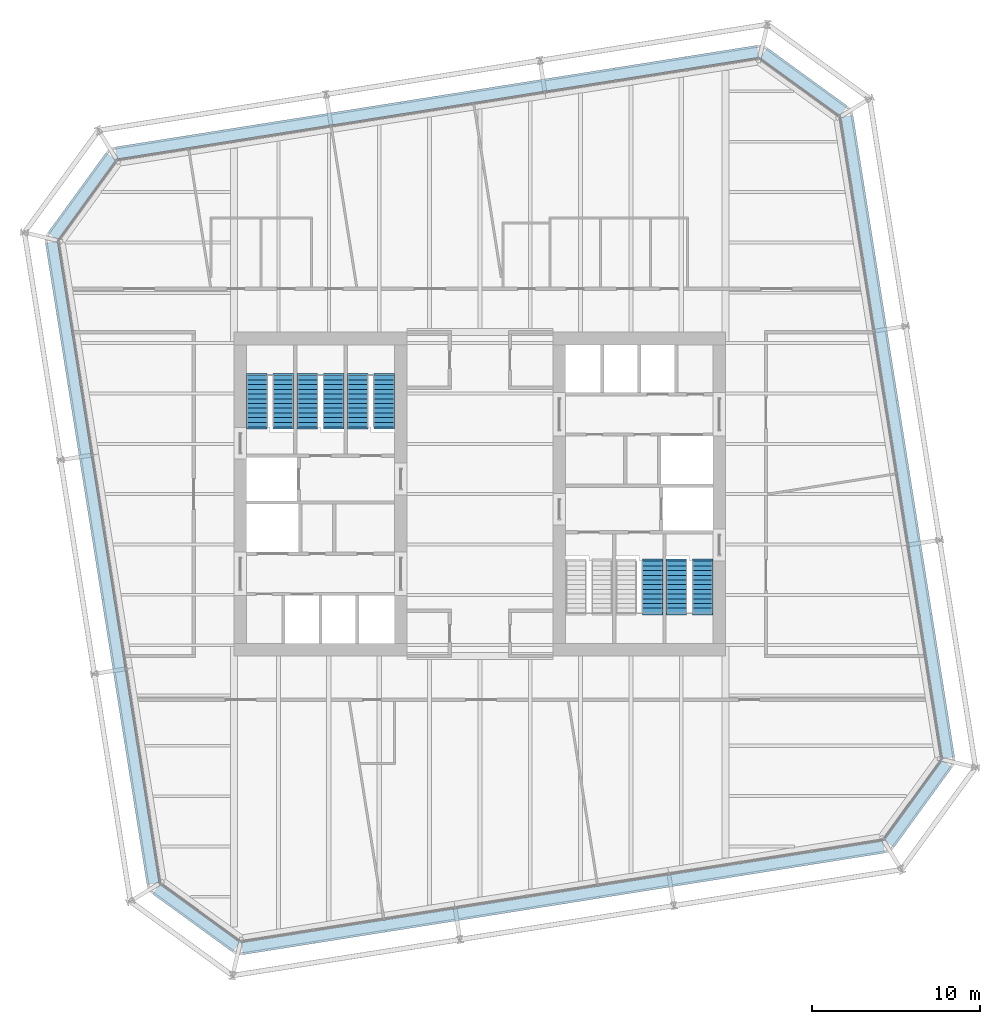
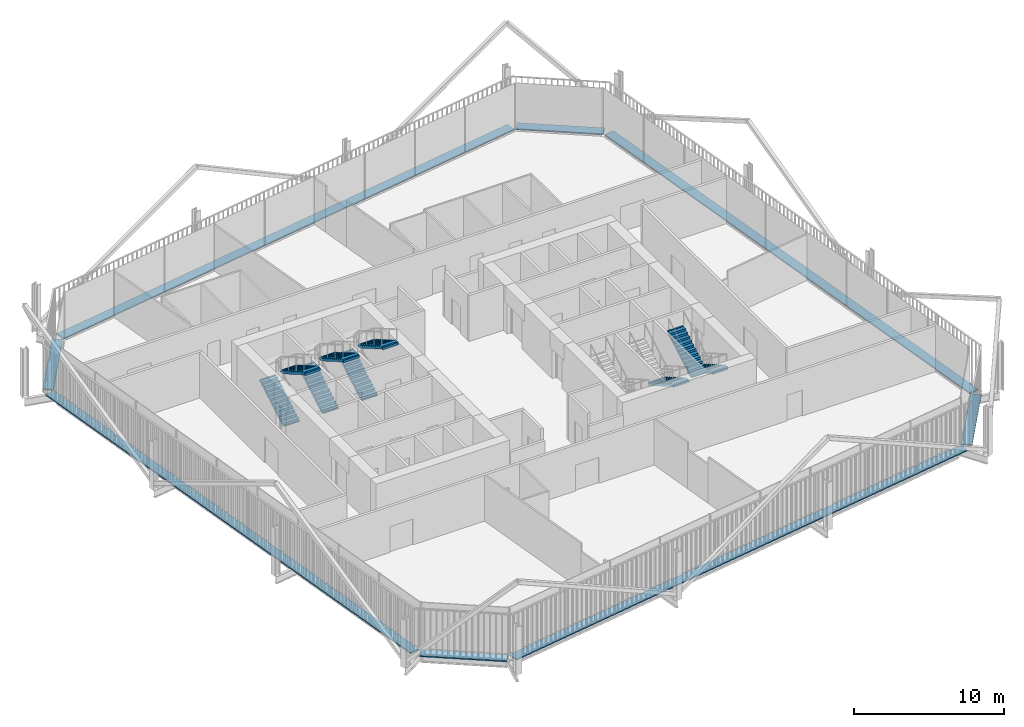
# One storey, part 21 of 22: 9 stair flights, 8 discrete accessories, 5 elements without a shape of their own.
"""IFC4 building model written with IfcOpenShell, lengths in metres."""

from ifc_helpers import new_model, si_unit, direction, frame, origin, origin_2d, place, context, subcontext, project, spatial, polyline, rectangle, outline, extrude, material, type_object, element, aggregate, save


model = new_model("IFC4")

# Units and contexts
model_context = context("Model", 3, precision=1e-05, world=origin(), true_north=direction((0.0, 1.0)))
body_context = subcontext(model_context, "Body", "Model", "MODEL_VIEW")
ifc_project = project(units=[si_unit("LENGTHUNIT", "METRE"), si_unit("AREAUNIT", "SQUARE_METRE"), si_unit("VOLUMEUNIT", "CUBIC_METRE"), si_unit("PLANEANGLEUNIT", "RADIAN"), si_unit("MASSUNIT", "GRAM", prefix="KILO")], contexts=[model_context])

# Site, building, storey
site_placement = place(None, origin())
site = spatial("IfcSite", under=ifc_project, at=site_placement, CompositionType="ELEMENT")
building_placement = place(site_placement, origin())
building = spatial("IfcBuilding", under=site, at=building_placement, Name="Millrace Tower", CompositionType="ELEMENT")
storey_placement = place(building_placement, frame((0.0, 0.0, 180.0)))
storey = spatial("IfcBuildingStorey", under=building, at=storey_placement, Name="L40", CompositionType="ELEMENT", Elevation=180.0)

# Stair, stair flights
ifc_material_1 = material(Name="Concrete C35", Category="concrete")
stair_type = type_object("IfcStairType", Name="Exit stair", PredefinedType="HALF_TURN_STAIR", material=ifc_material_1)
placement = place(storey_placement, origin())
stair_1 = element("IfcStair", 1, at=placement, inside=storey, type_object=stair_type, Name="Stair 1 W L40", PredefinedType="HALF_TURN_STAIR")
ifc_material_2 = material(Name="Concrete C35", Category="concrete")
stair_flight_type = type_object("IfcStairFlightType", Name="Exit stair flight", PredefinedType="STRAIGHT", material=ifc_material_2)
stair_flight_1_placement = place(storey_placement, frame((-13.2900390625, 4.0, 0.0), z_axis=(0.0, 0.0, 1.0), x_axis=(0.0, 1.0, 0.0)))
stair_flight_1 = element("IfcStairFlight", 2, at=stair_flight_1_placement, type_object=stair_flight_type, Name="ST12 flight 1", NumberOfRisers=12, NumberOfTreads=11, PredefinedType="STRAIGHT", RiserHeight=0.1625, TreadLength=0.28, context=body_context, shape_type="SweptSolid", body=[
    extrude(outline(polyline([(-0.1201171875, -0.0400390625), (-0.1201171875, 0.0), (0.0, 0.0), (0.0, 0.16259765625), (0.280029296875, 0.16259765625), (0.280029296875, 0.324951171875), (0.56005859375, 0.324951171875), (0.56005859375, 0.487548828125), (0.840087890625, 0.487548828125), (0.840087890625, 0.64990234375), (1.1201171875, 0.64990234375), (1.1201171875, 0.8125), (1.39990234375, 0.8125), (1.39990234375, 0.97509765625), (1.679931640625, 0.97509765625), (1.679931640625, 1.137451171875), (1.9599609375, 1.137451171875), (1.9599609375, 1.300048828125), (2.239990234375, 1.300048828125), (2.239990234375, 1.46240234375), (2.52001953125, 1.46240234375), (2.52001953125, 1.625), (2.800048828125, 1.625), (2.800048828125, 1.78759765625), (3.080078125, 1.78759765625), (3.080078125, 1.8076171875), (3.199951171875, 1.8076171875), (3.199951171875, 1.6142578125), (3.080078125, 1.6142578125), (0.298583984375, 0.0), (0.298583984375, -0.0400390625), (-0.1201171875, -0.0400390625)])), frame((0.0, 0.60986328125, 0.0), z_axis=(0.0, -1.0, 0.0), x_axis=(1.0, 0.0, 0.0)), (0.0, 0.0, 1.0), 1.219970703125),
])
stair_flight_2_placement = place(storey_placement, frame((-11.7099609375, 7.080078125, 1.949951171875), z_axis=(0.0, 0.0, 1.0), x_axis=(0.0, -1.0, 0.0)))
stair_flight_2 = element("IfcStairFlight", 3, at=stair_flight_2_placement, type_object=stair_flight_type, Name="ST12 flight 2", NumberOfRisers=12, NumberOfTreads=11, PredefinedType="STRAIGHT", RiserHeight=0.1625, TreadLength=0.28, context=body_context, shape_type="SweptSolid", body=[
    extrude(outline(polyline([(-0.1201171875, -0.0400390625), (-0.1201171875, 0.0), (0.0, 0.0), (0.0, 0.16259765625), (0.280029296875, 0.16259765625), (0.280029296875, 0.324951171875), (0.56005859375, 0.324951171875), (0.56005859375, 0.487548828125), (0.840087890625, 0.487548828125), (0.840087890625, 0.64990234375), (1.1201171875, 0.64990234375), (1.1201171875, 0.8125), (1.39990234375, 0.8125), (1.39990234375, 0.97509765625), (1.679931640625, 0.97509765625), (1.679931640625, 1.137451171875), (1.9599609375, 1.137451171875), (1.9599609375, 1.300048828125), (2.239990234375, 1.300048828125), (2.239990234375, 1.46240234375), (2.52001953125, 1.46240234375), (2.52001953125, 1.625), (2.800048828125, 1.625), (2.800048828125, 1.78759765625), (3.080078125, 1.78759765625), (3.080078125, 1.8076171875), (3.199951171875, 1.8076171875), (3.199951171875, 1.6142578125), (3.080078125, 1.6142578125), (0.298583984375, 0.0), (0.298583984375, -0.0400390625), (-0.1201171875, -0.0400390625)])), frame((0.0, 0.60986328125, 0.0), z_axis=(0.0, -1.0, 0.0), x_axis=(1.0, 0.0, 0.0)), (0.0, 0.0, 1.0), 1.219970703125),
])
aggregate(stair_1, [stair_flight_1, stair_flight_2])

stair_2 = element("IfcStair", 4, at=placement, inside=storey, type_object=stair_type, Name="Stair 2 W L40", PredefinedType="HALF_TURN_STAIR")
stair_flight_3_placement = place(storey_placement, frame((-10.2900390625, 4.0, 0.0), z_axis=(0.0, 0.0, 1.0), x_axis=(0.0, 1.0, 0.0)))
stair_flight_3 = element("IfcStairFlight", 5, at=stair_flight_3_placement, type_object=stair_flight_type, Name="ST12 flight 1", NumberOfRisers=12, NumberOfTreads=11, PredefinedType="STRAIGHT", RiserHeight=0.1625, TreadLength=0.28, context=body_context, shape_type="SweptSolid", body=[
    extrude(outline(polyline([(-0.1201171875, -0.0400390625), (-0.1201171875, 0.0), (0.0, 0.0), (0.0, 0.16259765625), (0.280029296875, 0.16259765625), (0.280029296875, 0.324951171875), (0.56005859375, 0.324951171875), (0.56005859375, 0.487548828125), (0.840087890625, 0.487548828125), (0.840087890625, 0.64990234375), (1.1201171875, 0.64990234375), (1.1201171875, 0.8125), (1.39990234375, 0.8125), (1.39990234375, 0.97509765625), (1.679931640625, 0.97509765625), (1.679931640625, 1.137451171875), (1.9599609375, 1.137451171875), (1.9599609375, 1.300048828125), (2.239990234375, 1.300048828125), (2.239990234375, 1.46240234375), (2.52001953125, 1.46240234375), (2.52001953125, 1.625), (2.800048828125, 1.625), (2.800048828125, 1.78759765625), (3.080078125, 1.78759765625), (3.080078125, 1.8076171875), (3.199951171875, 1.8076171875), (3.199951171875, 1.6142578125), (3.080078125, 1.6142578125), (0.298583984375, 0.0), (0.298583984375, -0.0400390625), (-0.1201171875, -0.0400390625)])), frame((0.0, 0.60986328125, 0.0), z_axis=(0.0, -1.0, 0.0), x_axis=(1.0, 0.0, 0.0)), (0.0, 0.0, 1.0), 1.219970703125),
])
stair_flight_4_placement = place(storey_placement, frame((-8.7099609375, 7.080078125, 1.949951171875), z_axis=(0.0, 0.0, 1.0), x_axis=(0.0, -1.0, 0.0)))
stair_flight_4 = element("IfcStairFlight", 6, at=stair_flight_4_placement, type_object=stair_flight_type, Name="ST12 flight 2", NumberOfRisers=12, NumberOfTreads=11, PredefinedType="STRAIGHT", RiserHeight=0.1625, TreadLength=0.28, context=body_context, shape_type="SweptSolid", body=[
    extrude(outline(polyline([(-0.1201171875, -0.0400390625), (-0.1201171875, 0.0), (0.0, 0.0), (0.0, 0.16259765625), (0.280029296875, 0.16259765625), (0.280029296875, 0.324951171875), (0.56005859375, 0.324951171875), (0.56005859375, 0.487548828125), (0.840087890625, 0.487548828125), (0.840087890625, 0.64990234375), (1.1201171875, 0.64990234375), (1.1201171875, 0.8125), (1.39990234375, 0.8125), (1.39990234375, 0.97509765625), (1.679931640625, 0.97509765625), (1.679931640625, 1.137451171875), (1.9599609375, 1.137451171875), (1.9599609375, 1.300048828125), (2.239990234375, 1.300048828125), (2.239990234375, 1.46240234375), (2.52001953125, 1.46240234375), (2.52001953125, 1.625), (2.800048828125, 1.625), (2.800048828125, 1.78759765625), (3.080078125, 1.78759765625), (3.080078125, 1.8076171875), (3.199951171875, 1.8076171875), (3.199951171875, 1.6142578125), (3.080078125, 1.6142578125), (0.298583984375, 0.0), (0.298583984375, -0.0400390625), (-0.1201171875, -0.0400390625)])), frame((0.0, 0.60986328125, 0.0), z_axis=(0.0, -1.0, 0.0), x_axis=(1.0, 0.0, 0.0)), (0.0, 0.0, 1.0), 1.219970703125),
])
aggregate(stair_2, [stair_flight_3, stair_flight_4])

stair_3 = element("IfcStair", 7, at=placement, inside=storey, type_object=stair_type, Name="Stair 3 W L40", PredefinedType="HALF_TURN_STAIR")
stair_flight_5_placement = place(storey_placement, frame((-7.2900390625, 4.0, 0.0), z_axis=(0.0, 0.0, 1.0), x_axis=(0.0, 1.0, 0.0)))
stair_flight_5 = element("IfcStairFlight", 8, at=stair_flight_5_placement, type_object=stair_flight_type, Name="ST12 flight 1", NumberOfRisers=12, NumberOfTreads=11, PredefinedType="STRAIGHT", RiserHeight=0.1625, TreadLength=0.28, context=body_context, shape_type="SweptSolid", body=[
    extrude(outline(polyline([(-0.1201171875, -0.0400390625), (-0.1201171875, 0.0), (0.0, 0.0), (0.0, 0.16259765625), (0.280029296875, 0.16259765625), (0.280029296875, 0.324951171875), (0.56005859375, 0.324951171875), (0.56005859375, 0.487548828125), (0.840087890625, 0.487548828125), (0.840087890625, 0.64990234375), (1.1201171875, 0.64990234375), (1.1201171875, 0.8125), (1.39990234375, 0.8125), (1.39990234375, 0.97509765625), (1.679931640625, 0.97509765625), (1.679931640625, 1.137451171875), (1.9599609375, 1.137451171875), (1.9599609375, 1.300048828125), (2.239990234375, 1.300048828125), (2.239990234375, 1.46240234375), (2.52001953125, 1.46240234375), (2.52001953125, 1.625), (2.800048828125, 1.625), (2.800048828125, 1.78759765625), (3.080078125, 1.78759765625), (3.080078125, 1.8076171875), (3.199951171875, 1.8076171875), (3.199951171875, 1.6142578125), (3.080078125, 1.6142578125), (0.298583984375, 0.0), (0.298583984375, -0.0400390625), (-0.1201171875, -0.0400390625)])), frame((0.0, 0.60986328125, 0.0), z_axis=(0.0, -1.0, 0.0), x_axis=(1.0, 0.0, 0.0)), (0.0, 0.0, 1.0), 1.219970703125),
])
stair_flight_6_placement = place(storey_placement, frame((-5.7099609375, 7.080078125, 1.949951171875), z_axis=(0.0, 0.0, 1.0), x_axis=(0.0, -1.0, 0.0)))
stair_flight_6 = element("IfcStairFlight", 9, at=stair_flight_6_placement, type_object=stair_flight_type, Name="ST12 flight 2", NumberOfRisers=12, NumberOfTreads=11, PredefinedType="STRAIGHT", RiserHeight=0.1625, TreadLength=0.28, context=body_context, shape_type="SweptSolid", body=[
    extrude(outline(polyline([(-0.1201171875, -0.0400390625), (-0.1201171875, 0.0), (0.0, 0.0), (0.0, 0.16259765625), (0.280029296875, 0.16259765625), (0.280029296875, 0.324951171875), (0.56005859375, 0.324951171875), (0.56005859375, 0.487548828125), (0.840087890625, 0.487548828125), (0.840087890625, 0.64990234375), (1.1201171875, 0.64990234375), (1.1201171875, 0.8125), (1.39990234375, 0.8125), (1.39990234375, 0.97509765625), (1.679931640625, 0.97509765625), (1.679931640625, 1.137451171875), (1.9599609375, 1.137451171875), (1.9599609375, 1.300048828125), (2.239990234375, 1.300048828125), (2.239990234375, 1.46240234375), (2.52001953125, 1.46240234375), (2.52001953125, 1.625), (2.800048828125, 1.625), (2.800048828125, 1.78759765625), (3.080078125, 1.78759765625), (3.080078125, 1.8076171875), (3.199951171875, 1.8076171875), (3.199951171875, 1.6142578125), (3.080078125, 1.6142578125), (0.298583984375, 0.0), (0.298583984375, -0.0400390625), (-0.1201171875, -0.0400390625)])), frame((0.0, 0.60986328125, 0.0), z_axis=(0.0, -1.0, 0.0), x_axis=(1.0, 0.0, 0.0)), (0.0, 0.0, 1.0), 1.219970703125),
])
aggregate(stair_3, [stair_flight_5, stair_flight_6])

stair_4 = element("IfcStair", 10, at=placement, inside=storey, type_object=stair_type, Name="Stair 1 E L40", PredefinedType="HALF_TURN_STAIR")
stair_flight_7_placement = place(storey_placement, frame((13.2900390625, -4.0, 0.0), z_axis=(0.0, 0.0, 1.0), x_axis=(0.0, -1.0, 0.0)))
stair_flight_7 = element("IfcStairFlight", 11, at=stair_flight_7_placement, type_object=stair_flight_type, Name="ST12 flight 1", NumberOfRisers=12, NumberOfTreads=11, PredefinedType="STRAIGHT", RiserHeight=0.1625, TreadLength=0.28, context=body_context, shape_type="SweptSolid", body=[
    extrude(outline(polyline([(-0.1201171875, -0.0400390625), (-0.1201171875, 0.0), (0.0, 0.0), (0.0, 0.16259765625), (0.280029296875, 0.16259765625), (0.280029296875, 0.324951171875), (0.56005859375, 0.324951171875), (0.56005859375, 0.487548828125), (0.840087890625, 0.487548828125), (0.840087890625, 0.64990234375), (1.1201171875, 0.64990234375), (1.1201171875, 0.8125), (1.39990234375, 0.8125), (1.39990234375, 0.97509765625), (1.679931640625, 0.97509765625), (1.679931640625, 1.137451171875), (1.9599609375, 1.137451171875), (1.9599609375, 1.300048828125), (2.239990234375, 1.300048828125), (2.239990234375, 1.46240234375), (2.52001953125, 1.46240234375), (2.52001953125, 1.625), (2.800048828125, 1.625), (2.800048828125, 1.78759765625), (3.080078125, 1.78759765625), (3.080078125, 1.8076171875), (3.199951171875, 1.8076171875), (3.199951171875, 1.6142578125), (3.080078125, 1.6142578125), (0.298583984375, 0.0), (0.298583984375, -0.0400390625), (-0.1201171875, -0.0400390625)])), frame((0.0, 0.60986328125, 0.0), z_axis=(0.0, -1.0, 0.0), x_axis=(1.0, 0.0, 0.0)), (0.0, 0.0, 1.0), 1.219970703125),
])
stair_flight_8_placement = place(storey_placement, frame((11.7099609375, -7.080078125, 1.949951171875), z_axis=(0.0, 0.0, 1.0), x_axis=(0.0, 1.0, 0.0)))
stair_flight_8 = element("IfcStairFlight", 12, at=stair_flight_8_placement, type_object=stair_flight_type, Name="ST12 flight 2", NumberOfRisers=12, NumberOfTreads=11, PredefinedType="STRAIGHT", RiserHeight=0.1625, TreadLength=0.28, context=body_context, shape_type="SweptSolid", body=[
    extrude(outline(polyline([(-0.1201171875, -0.0400390625), (-0.1201171875, 0.0), (0.0, 0.0), (0.0, 0.16259765625), (0.280029296875, 0.16259765625), (0.280029296875, 0.324951171875), (0.56005859375, 0.324951171875), (0.56005859375, 0.487548828125), (0.840087890625, 0.487548828125), (0.840087890625, 0.64990234375), (1.1201171875, 0.64990234375), (1.1201171875, 0.8125), (1.39990234375, 0.8125), (1.39990234375, 0.97509765625), (1.679931640625, 0.97509765625), (1.679931640625, 1.137451171875), (1.9599609375, 1.137451171875), (1.9599609375, 1.300048828125), (2.239990234375, 1.300048828125), (2.239990234375, 1.46240234375), (2.52001953125, 1.46240234375), (2.52001953125, 1.625), (2.800048828125, 1.625), (2.800048828125, 1.78759765625), (3.080078125, 1.78759765625), (3.080078125, 1.8076171875), (3.199951171875, 1.8076171875), (3.199951171875, 1.6142578125), (3.080078125, 1.6142578125), (0.298583984375, 0.0), (0.298583984375, -0.0400390625), (-0.1201171875, -0.0400390625)])), frame((0.0, 0.60986328125, 0.0), z_axis=(0.0, -1.0, 0.0), x_axis=(1.0, 0.0, 0.0)), (0.0, 0.0, 1.0), 1.219970703125),
])
aggregate(stair_4, [stair_flight_7, stair_flight_8])

# Stair, stair flight
stair_5 = element("IfcStair", 13, at=placement, inside=storey, type_object=stair_type, Name="Stair 2 E L40", PredefinedType="HALF_TURN_STAIR")
stair_flight_9_placement = place(storey_placement, frame((10.2900390625, -4.0, 0.0), z_axis=(0.0, 0.0, 1.0), x_axis=(0.0, -1.0, 0.0)))
stair_flight_9 = element("IfcStairFlight", 14, at=stair_flight_9_placement, type_object=stair_flight_type, Name="ST12 flight 1", NumberOfRisers=12, NumberOfTreads=11, PredefinedType="STRAIGHT", RiserHeight=0.1625, TreadLength=0.28, context=body_context, shape_type="SweptSolid", body=[
    extrude(outline(polyline([(-0.1201171875, -0.0400390625), (-0.1201171875, 0.0), (0.0, 0.0), (0.0, 0.16259765625), (0.280029296875, 0.16259765625), (0.280029296875, 0.324951171875), (0.56005859375, 0.324951171875), (0.56005859375, 0.487548828125), (0.840087890625, 0.487548828125), (0.840087890625, 0.64990234375), (1.1201171875, 0.64990234375), (1.1201171875, 0.8125), (1.39990234375, 0.8125), (1.39990234375, 0.97509765625), (1.679931640625, 0.97509765625), (1.679931640625, 1.137451171875), (1.9599609375, 1.137451171875), (1.9599609375, 1.300048828125), (2.239990234375, 1.300048828125), (2.239990234375, 1.46240234375), (2.52001953125, 1.46240234375), (2.52001953125, 1.625), (2.800048828125, 1.625), (2.800048828125, 1.78759765625), (3.080078125, 1.78759765625), (3.080078125, 1.8076171875), (3.199951171875, 1.8076171875), (3.199951171875, 1.6142578125), (3.080078125, 1.6142578125), (0.298583984375, 0.0), (0.298583984375, -0.0400390625), (-0.1201171875, -0.0400390625)])), frame((0.0, 0.60986328125, 0.0), z_axis=(0.0, -1.0, 0.0), x_axis=(1.0, 0.0, 0.0)), (0.0, 0.0, 1.0), 1.219970703125),
])
aggregate(stair_5, [stair_flight_9])

# Discrete accessories
ifc_material_3 = material(Name="Stainless steel ASTM A240 type 316", Category="steel")
discrete_accessory_type = type_object("IfcDiscreteAccessoryType", Name="Thermally broken screen support rail", PredefinedType="BRACKET", material=ifc_material_3)
discrete_accessory_1_placement = place(storey_placement, frame((-16.909423828125, -25.275390625, 0.0), z_axis=(0.0, 0.0, 1.0), x_axis=(0.809016981623, -0.587785269844, 0.0)))
element("IfcDiscreteAccessory", 15, at=discrete_accessory_1_placement, inside=storey, type_object=discrete_accessory_type, Name="Thermally broken screen support rail C-F01 L40 1", PredefinedType="BRACKET", context=body_context, shape_type="SweptSolid", body=[
    extrude(rectangle(XDim=5.868896484375, YDim=0.719970703125, at=origin_2d()), origin(), (0.0, 0.0, 1.0), 0.10009765625),
])
discrete_accessory_2_placement = place(storey_placement, frame((4.9560546875, -24.064453125, 0.0), z_axis=(0.0, 0.0, 1.0), x_axis=(0.98768833929, 0.15643447328, 0.0)))
element("IfcDiscreteAccessory", 16, at=discrete_accessory_2_placement, inside=storey, type_object=discrete_accessory_type, Name="Thermally broken screen support rail C-F02 L40 1", PredefinedType="BRACKET", context=body_context, shape_type="SweptSolid", body=[
    extrude(rectangle(XDim=38.699951171875, YDim=0.719970703125, at=origin_2d()), origin(), (0.0, 0.0, 1.0), 0.10009765625),
])
discrete_accessory_3_placement = place(storey_placement, frame((26.12548828125, -18.45947265625, 0.0), z_axis=(0.0, 0.0, 1.0), x_axis=(0.587785269844, 0.809016981623, 0.0)))
element("IfcDiscreteAccessory", 17, at=discrete_accessory_3_placement, inside=storey, type_object=discrete_accessory_type, Name="Thermally broken screen support rail C-F03 L40 1", PredefinedType="BRACKET", context=body_context, shape_type="SweptSolid", body=[
    extrude(rectangle(XDim=5.868896484375, YDim=0.719970703125, at=origin_2d()), origin(), (0.0, 0.0, 1.0), 0.10009765625),
])
discrete_accessory_4_placement = place(storey_placement, frame((24.914306640625, 3.406005859375, 0.0), z_axis=(0.0, 0.0, 1.0), x_axis=(-0.15643447328, 0.98768833929, 0.0)))
element("IfcDiscreteAccessory", 18, at=discrete_accessory_4_placement, inside=storey, type_object=discrete_accessory_type, Name="Thermally broken screen support rail C-F04 L40 1", PredefinedType="BRACKET", context=body_context, shape_type="SweptSolid", body=[
    extrude(rectangle(XDim=38.699951171875, YDim=0.719970703125, at=origin_2d()), origin(), (0.0, 0.0, 1.0), 0.10009765625),
])
discrete_accessory_5_placement = place(storey_placement, frame((19.309326171875, 24.575439453125, 0.0), z_axis=(0.0, 0.0, 1.0), x_axis=(-0.809016981623, 0.587785269844, 0.0)))
element("IfcDiscreteAccessory", 19, at=discrete_accessory_5_placement, inside=storey, type_object=discrete_accessory_type, Name="Thermally broken screen support rail C-F05 L40 1", PredefinedType="BRACKET", context=body_context, shape_type="SweptSolid", body=[
    extrude(rectangle(XDim=5.868896484375, YDim=0.719970703125, at=origin_2d()), origin(), (0.0, 0.0, 1.0), 0.10009765625),
])
discrete_accessory_6_placement = place(storey_placement, frame((-2.555908203125, 23.364501953125, 0.0), z_axis=(0.0, 0.0, 1.0), x_axis=(-0.98768833929, -0.15643447328, 0.0)))
element("IfcDiscreteAccessory", 20, at=discrete_accessory_6_placement, inside=storey, type_object=discrete_accessory_type, Name="Thermally broken screen support rail C-F06 L40 1", PredefinedType="BRACKET", context=body_context, shape_type="SweptSolid", body=[
    extrude(rectangle(XDim=38.699951171875, YDim=0.719970703125, at=origin_2d()), origin(), (0.0, 0.0, 1.0), 0.10009765625),
])
discrete_accessory_7_placement = place(storey_placement, frame((-23.725341796875, 17.75927734375, 0.0), z_axis=(0.0, 0.0, 1.0), x_axis=(-0.587785269844, -0.809016981623, 0.0)))
element("IfcDiscreteAccessory", 21, at=discrete_accessory_7_placement, inside=storey, type_object=discrete_accessory_type, Name="Thermally broken screen support rail C-F07 L40 1", PredefinedType="BRACKET", context=body_context, shape_type="SweptSolid", body=[
    extrude(rectangle(XDim=5.868896484375, YDim=0.719970703125, at=origin_2d()), origin(), (0.0, 0.0, 1.0), 0.10009765625),
])
discrete_accessory_8_placement = place(storey_placement, frame((-22.514404296875, -4.10595703125, 0.0), z_axis=(0.0, 0.0, 1.0), x_axis=(0.15643447328, -0.98768833929, 0.0)))
element("IfcDiscreteAccessory", 22, at=discrete_accessory_8_placement, inside=storey, type_object=discrete_accessory_type, Name="Thermally broken screen support rail C-F08 L40 1", PredefinedType="BRACKET", context=body_context, shape_type="SweptSolid", body=[
    extrude(rectangle(XDim=38.699951171875, YDim=0.719970703125, at=origin_2d()), origin(), (0.0, 0.0, 1.0), 0.10009765625),
])

save(model, "model.ifc")
